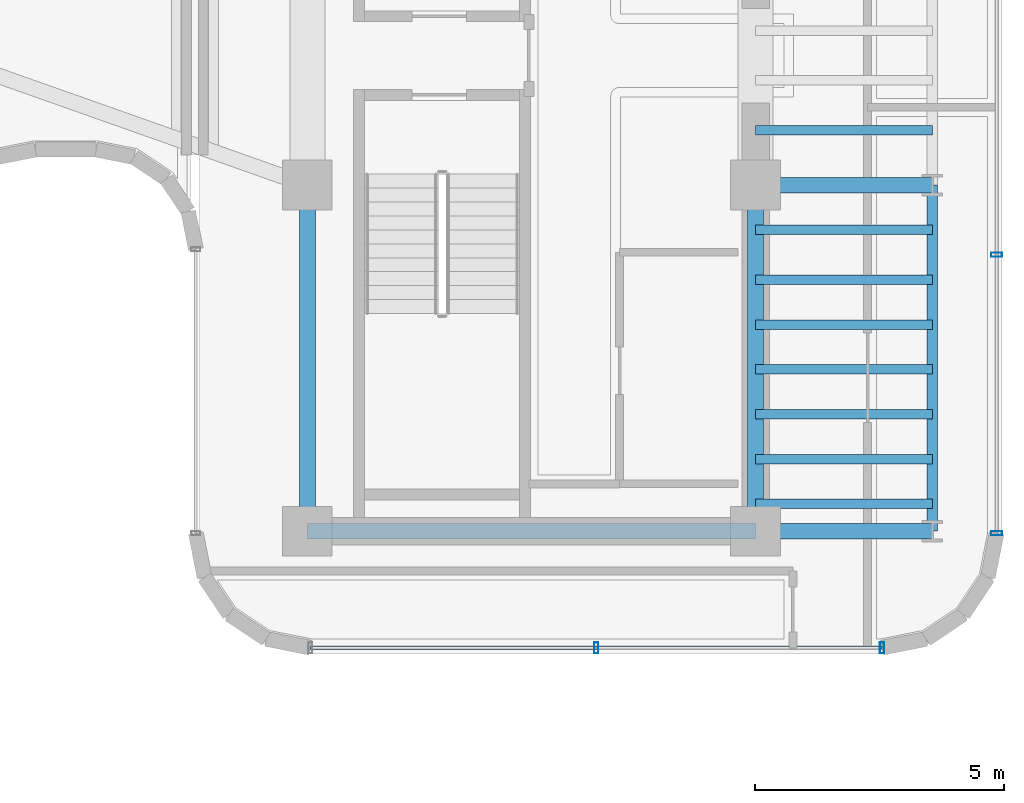
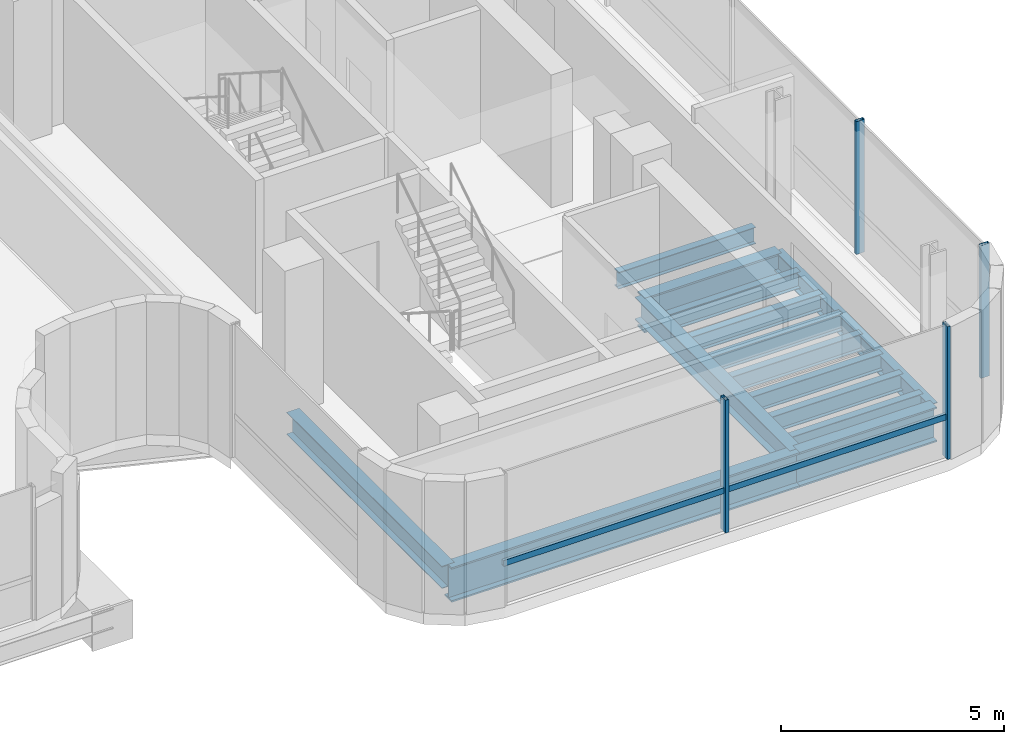
# One storey, part 12 of 38: 14 beams, 5 members, 2 elements without a shape of their own.
"""IFC4 building model written with IfcOpenShell, lengths in metres."""

from ifc_helpers import new_model, si_unit, direction, frame, origin, origin_2d, place, context, subcontext, project, spatial, hollow_rectangle, i_section, extrude, source, transform, mapped, material, material_profile, profile_set, type_object, element, aggregate, save


model = new_model("IFC4")

# Units and contexts
model_context = context("Model", 3, precision=1e-05, world=origin(), true_north=direction((0.0, 1.0)))
body_context = subcontext(model_context, "Body", "Model", "MODEL_VIEW")
ifc_project = project(units=[si_unit("LENGTHUNIT", "METRE"), si_unit("AREAUNIT", "SQUARE_METRE"), si_unit("VOLUMEUNIT", "CUBIC_METRE"), si_unit("PLANEANGLEUNIT", "RADIAN"), si_unit("MASSUNIT", "GRAM", prefix="KILO")], contexts=[model_context])

# Site, building, storey
site_placement = place(None, origin())
site = spatial("IfcSite", under=ifc_project, at=site_placement, CompositionType="ELEMENT")
building_placement = place(site_placement, origin())
building = spatial("IfcBuilding", under=site, at=building_placement, Name="Valdorenza Pilgrim Sanctuary Tower", CompositionType="ELEMENT")
storey_placement = place(building_placement, frame((0.0, 0.0, 180.5)))
storey = spatial("IfcBuildingStorey", under=building, at=storey_placement, Name="L46", CompositionType="ELEMENT", Elevation=180.5)

# Beams
ifc_material_1 = material(Name="Steel ASTM A992 Grade 50", Category="steel")
ifc_material_profile_1 = material_profile(ifc_material_1, i_section(OverallWidth=0.323974609375, OverallDepth=0.611083984375, WebThickness=0.0126953125, FlangeThickness=0.01904296875, at=origin_2d()), Name="W24X104")
ifc_profile_set_1 = profile_set([ifc_material_profile_1], Name="Steel ASTM A992 Grade 50")
beam_type_1 = type_object("IfcBeamType", Name="STR-BM-GRD-W24B", PredefinedType="BEAM", material=ifc_profile_set_1)
shared_shape_1 = source(origin(), body_context, "Body", "SweptSolid", [
    extrude(i_section(OverallWidth=0.323974609375, OverallDepth=0.611083984375, WebThickness=0.0126953125, FlangeThickness=0.01904296875, at=origin_2d()), origin(), (0.0, 0.0, 1.0), 6.949951171875),
])
for number, where, z_axis, x_axis, name in (
    (1, (15.85009765625, -9.550048828125, -0.62548828125), (0.0, 1.0, 0.0), (-1.0, 0.0, 0.0), "L46 Core Tie Girder CB-W-S1M0"),
    (2, (24.85009765625, -9.550048828125, -0.62548828125), (0.0, 1.0, 0.0), (-1.0, 0.0, 0.0), "L46 Core Tie Girder CB-E-S1M0"),
):
    element("IfcBeam", number, at=place(storey_placement, frame(where, z_axis=z_axis, x_axis=x_axis)), inside=storey, type_object=beam_type_1, Name=name, PredefinedType="BEAM", context=body_context, shape_type="MappedRepresentation", body=[
        mapped(shared_shape_1, transform((0.0, 0.0, 0.0), x_axis=(1.0, 0.0, 0.0), y_axis=(0.0, 1.0, 0.0), z_axis=(0.0, 0.0, 1.0), scale=1.0)),
    ])
ifc_material_profile_2 = material_profile(ifc_material_1, i_section(OverallWidth=0.19091796875, OverallDepth=0.45703125, WebThickness=0.009033203125, FlangeThickness=0.014404296875, at=origin_2d()), Name="W18X50")
ifc_profile_set_2 = profile_set([ifc_material_profile_2], Name="Steel ASTM A992 Grade 50")
beam_type_2 = type_object("IfcBeamType", Name="STR-BM-JST-W18B", PredefinedType="JOIST", material=ifc_profile_set_2)
shared_shape_2 = source(origin(), body_context, "Body", "SweptSolid", [
    extrude(i_section(OverallWidth=0.19091796875, OverallDepth=0.45703125, WebThickness=0.009033203125, FlangeThickness=0.014404296875, at=origin_2d()), origin(), (0.0, 0.0, 1.0), 3.5498046875),
])
for number, where, z_axis, x_axis, name in (
    (3, (24.85009765625, -9.0, -0.548583984375), (1.0, 0.0, 0.0), (0.0, 1.0, 0.0), "L46 Composite Floor Joist JST-WB-1"),
    (4, (24.85009765625, -8.10009765625, -0.548583984375), (1.0, 0.0, 0.0), (0.0, 1.0, 0.0), "L46 Composite Floor Joist JST-WB-2"),
    (5, (24.85009765625, -7.199951171875, -0.548583984375), (1.0, 0.0, 0.0), (0.0, 1.0, 0.0), "L46 Composite Floor Joist JST-WB-3"),
    (6, (24.85009765625, -6.300048828125, -0.548583984375), (1.0, 0.0, 0.0), (0.0, 1.0, 0.0), "L46 Composite Floor Joist JST-WB-4"),
    (7, (24.85009765625, -5.39990234375, -0.548583984375), (1.0, 0.0, 0.0), (0.0, 1.0, 0.0), "L46 Composite Floor Joist JST-WB-5"),
    (8, (24.85009765625, -4.5, -0.548583984375), (1.0, 0.0, 0.0), (0.0, 1.0, 0.0), "L46 Composite Floor Joist JST-WB-6"),
    (9, (24.85009765625, -3.5, -0.548583984375), (1.0, 0.0, 0.0), (0.0, 1.0, 0.0), "L46 Composite Floor Joist JST-WB-7"),
    (10, (24.85009765625, -1.5, -0.548583984375), (1.0, 0.0, 0.0), (0.0, 1.0, 0.0), "L46 Composite Floor Joist JST-WB-8"),
):
    element("IfcBeam", number, at=place(storey_placement, frame(where, z_axis=z_axis, x_axis=x_axis)), inside=storey, type_object=beam_type_2, Name=name, PredefinedType="JOIST", context=body_context, shape_type="MappedRepresentation", body=[
        mapped(shared_shape_2, transform((0.0, 0.0, 0.0), x_axis=(1.0, 0.0, 0.0), y_axis=(0.0, 1.0, 0.0), z_axis=(0.0, 0.0, 1.0), scale=1.0)),
    ])
ifc_material_profile_3 = material_profile(ifc_material_1, i_section(OverallWidth=0.2109375, OverallDepth=0.5390625, WebThickness=0.01171875, FlangeThickness=0.018798828125, at=origin_2d()), Name="W21X73")
ifc_profile_set_3 = profile_set([ifc_material_profile_3], Name="Steel ASTM A992 Grade 50")
beam_type_3 = type_object("IfcBeamType", Name="STR-BM-SPN-W21B", PredefinedType="SPANDREL", material=ifc_profile_set_3)
shared_shape_3 = source(origin(), body_context, "Body", "SweptSolid", [
    extrude(i_section(OverallWidth=0.2109375, OverallDepth=0.5390625, WebThickness=0.01171875, FlangeThickness=0.018798828125, at=origin_2d()), origin(), (0.0, 0.0, 1.0), 6.949951171875),
])
beam_1_placement = place(storey_placement, frame((28.39990234375, -9.550048828125, -0.589599609375), z_axis=(0.0, 1.0, 0.0), x_axis=(-1.0, 0.0, 0.0)))
element("IfcBeam", 11, at=beam_1_placement, inside=storey, type_object=beam_type_3, Name="L46 Spandrel Beam WB-E-S1M0", PredefinedType="SPANDREL", context=body_context, shape_type="MappedRepresentation", body=[
    mapped(shared_shape_3, transform((0.0, 0.0, 0.0), x_axis=(1.0, 0.0, 0.0), y_axis=(0.0, 1.0, 0.0), z_axis=(0.0, 0.0, 1.0), scale=1.0)),
])
ifc_material_profile_4 = material_profile(ifc_material_1, i_section(OverallWidth=0.31005859375, OverallDepth=0.949951171875, WebThickness=0.0244140625, FlangeThickness=0.0439453125, at=origin_2d()), Name="W36X256")
ifc_profile_set_4 = profile_set([ifc_material_profile_4], Name="Steel ASTM A992 Grade 50")
beam_type_4 = type_object("IfcBeamType", Name="STR-BM-GRD-W36B", PredefinedType="BEAM", material=ifc_profile_set_4)
shared_shape_4 = source(origin(), body_context, "Body", "SweptSolid", [
    extrude(i_section(OverallWidth=0.31005859375, OverallDepth=0.949951171875, WebThickness=0.0244140625, FlangeThickness=0.0439453125, at=origin_2d()), origin(), (0.0, 0.0, 1.0), 9.0),
])
beam_2_placement = place(storey_placement, frame((15.85009765625, -9.550048828125, -0.794921875), z_axis=(1.0, 0.0, 0.0), x_axis=(0.0, 1.0, 0.0)))
element("IfcBeam", 12, at=beam_2_placement, inside=storey, type_object=beam_type_4, Name="L46 Floor Girder CB-XC-S1", PredefinedType="BEAM", context=body_context, shape_type="MappedRepresentation", body=[
    mapped(shared_shape_4, transform((0.0, 0.0, 0.0), x_axis=(1.0, 0.0, 0.0), y_axis=(0.0, 1.0, 0.0), z_axis=(0.0, 0.0, 1.0), scale=1.0)),
])
shared_shape_5 = source(origin(), body_context, "Body", "SweptSolid", [
    extrude(i_section(OverallWidth=0.31005859375, OverallDepth=0.949951171875, WebThickness=0.0244140625, FlangeThickness=0.0439453125, at=origin_2d()), origin(), (0.0, 0.0, 1.0), 3.5498046875),
])
for number, where, z_axis, x_axis, name in (
    (13, (24.85009765625, -9.550048828125, -0.794921875), (1.0, 0.0, 0.0), (0.0, 1.0, 0.0), "L46 Floor Girder WB-XE-S1"),
    (14, (24.85009765625, -2.60009765625, -0.794921875), (1.0, 0.0, 0.0), (0.0, 1.0, 0.0), "L46 Floor Girder WB-XE-M0"),
):
    element("IfcBeam", number, at=place(storey_placement, frame(where, z_axis=z_axis, x_axis=x_axis)), inside=storey, type_object=beam_type_4, Name=name, PredefinedType="BEAM", context=body_context, shape_type="MappedRepresentation", body=[
        mapped(shared_shape_5, transform((0.0, 0.0, 0.0), x_axis=(1.0, 0.0, 0.0), y_axis=(0.0, 1.0, 0.0), z_axis=(0.0, 0.0, 1.0), scale=1.0)),
    ])

# Curtain wall, member
ifc_material_2 = material(Name="Curtain-wall IGU glazing", Category="glass")
curtain_wall_type = type_object("IfcCurtainWallType", Name="CW-SYS-03", PredefinedType="NOTDEFINED", material=ifc_material_2)
curtain_wall_1_placement = place(storey_placement, origin())
curtain_wall_1 = element("IfcCurtainWall", 15, at=curtain_wall_1_placement, inside=storey, type_object=curtain_wall_type, Name="L46 Curtain Wall CW-L46-1-42", PredefinedType="NOTDEFINED")
ifc_material_3 = material(Name="Anodised aluminium AW-6060", Category="aluminium")
ifc_material_profile_5 = material_profile(ifc_material_3, hollow_rectangle(XDim=0.074951171875, YDim=0.159912109375, WallThickness=0.00390625, at=origin_2d()), Name="ALU-T 160x75x4")
ifc_profile_set_5 = profile_set([ifc_material_profile_5], Name="Anodised aluminium AW-6060")
member_type_1 = type_object("IfcMemberType", Name="CW-TRN-03", PredefinedType="USERDEFINED", material=ifc_profile_set_5)
shared_shape_6 = source(origin(), body_context, "Body", "SweptSolid", [
    extrude(hollow_rectangle(XDim=0.074951171875, YDim=0.159912109375, WallThickness=0.00390625, at=origin_2d()), origin(), (0.0, 0.0, 1.0), 11.478271484375),
])
member_1_placement = place(storey_placement, frame((27.38916015625, -11.889892578125, 1.1201171875), z_axis=(-1.0, 0.0, 0.0), x_axis=(0.0, -1.0, 0.0)))
member_1 = element("IfcMember", 16, at=member_1_placement, type_object=member_type_1, Name="CW-L46-1-42 Transom 1", ObjectType="TRANSOM", PredefinedType="USERDEFINED", context=body_context, shape_type="MappedRepresentation", body=[
    mapped(shared_shape_6, transform((0.0, 0.0, 0.0), x_axis=(1.0, 0.0, 0.0), y_axis=(0.0, 1.0, 0.0), z_axis=(0.0, 0.0, 1.0), scale=1.0)),
])

# Curtain wall, members
curtain_wall_2_placement = place(storey_placement, origin())
curtain_wall_2 = element("IfcCurtainWall", 17, at=curtain_wall_2_placement, inside=storey, type_object=curtain_wall_type, Name="L46 Curtain Wall CW-L46-1-37", PredefinedType="NOTDEFINED")
ifc_material_profile_6 = material_profile(ifc_material_3, hollow_rectangle(XDim=0.0849609375, YDim=0.219970703125, WallThickness=0.0048828125, at=origin_2d()), Name="ALU-M 220x85x5")
ifc_profile_set_6 = profile_set([ifc_material_profile_6], Name="Anodised aluminium AW-6060")
member_type_2 = type_object("IfcMemberType", Name="CW-MUL-03", PredefinedType="MULLION", material=ifc_profile_set_6)
shared_shape_7 = source(origin(), body_context, "Body", "SweptSolid", [
    extrude(hollow_rectangle(XDim=0.0849609375, YDim=0.219970703125, WallThickness=0.0048828125, at=origin_2d()), origin(), (0.0, 0.0, 1.0), 3.6298828125),
])
member_2_placement = place(storey_placement, frame((29.68994140625, -3.999755859375, 0.0), z_axis=(0.0, 0.0, 1.0), x_axis=(0.0, -1.0, 0.0)))
member_2 = element("IfcMember", 18, at=member_2_placement, type_object=member_type_2, Name="CW-L46-1-37 Mullion 4", PredefinedType="MULLION", context=body_context, shape_type="MappedRepresentation", body=[
    mapped(shared_shape_7, transform((0.0, 0.0, 0.0), x_axis=(1.0, 0.0, 0.0), y_axis=(0.0, 1.0, 0.0), z_axis=(0.0, 0.0, 1.0), scale=1.0)),
])
member_3_placement = place(storey_placement, frame((29.68994140625, -9.589111328125, 0.0), z_axis=(0.0, 0.0, 1.0), x_axis=(0.0, -1.0, 0.0)))
member_3 = element("IfcMember", 19, at=member_3_placement, type_object=member_type_2, Name="CW-L46-1-37 Mullion 5", PredefinedType="MULLION", context=body_context, shape_type="MappedRepresentation", body=[
    mapped(shared_shape_7, transform((0.0, 0.0, 0.0), x_axis=(1.0, 0.0, 0.0), y_axis=(0.0, 1.0, 0.0), z_axis=(0.0, 0.0, 1.0), scale=1.0)),
])
aggregate(curtain_wall_2, [member_2, member_3])

# Member
member_4_placement = place(storey_placement, frame((27.38916015625, -11.889892578125, 0.0), z_axis=(0.0, 0.0, 1.0), x_axis=(-1.0, 0.0, 0.0)))
member_4 = element("IfcMember", 20, at=member_4_placement, type_object=member_type_2, Name="CW-L46-1-42 Mullion 1", PredefinedType="MULLION", context=body_context, shape_type="MappedRepresentation", body=[
    mapped(shared_shape_7, transform((0.0, 0.0, 0.0), x_axis=(1.0, 0.0, 0.0), y_axis=(0.0, 1.0, 0.0), z_axis=(0.0, 0.0, 1.0), scale=1.0)),
])

member_5_placement = place(storey_placement, frame((21.64990234375, -11.889892578125, 0.0), z_axis=(0.0, 0.0, 1.0), x_axis=(-1.0, 0.0, 0.0)))
member_5 = element("IfcMember", 21, at=member_5_placement, type_object=member_type_2, Name="CW-L46-1-42 Mullion 2", PredefinedType="MULLION", context=body_context, shape_type="MappedRepresentation", body=[
    mapped(shared_shape_7, transform((0.0, 0.0, 0.0), x_axis=(1.0, 0.0, 0.0), y_axis=(0.0, 1.0, 0.0), z_axis=(0.0, 0.0, 1.0), scale=1.0)),
])

aggregate(curtain_wall_1, [member_4, member_5, member_1])

save(model, "model.ifc")
